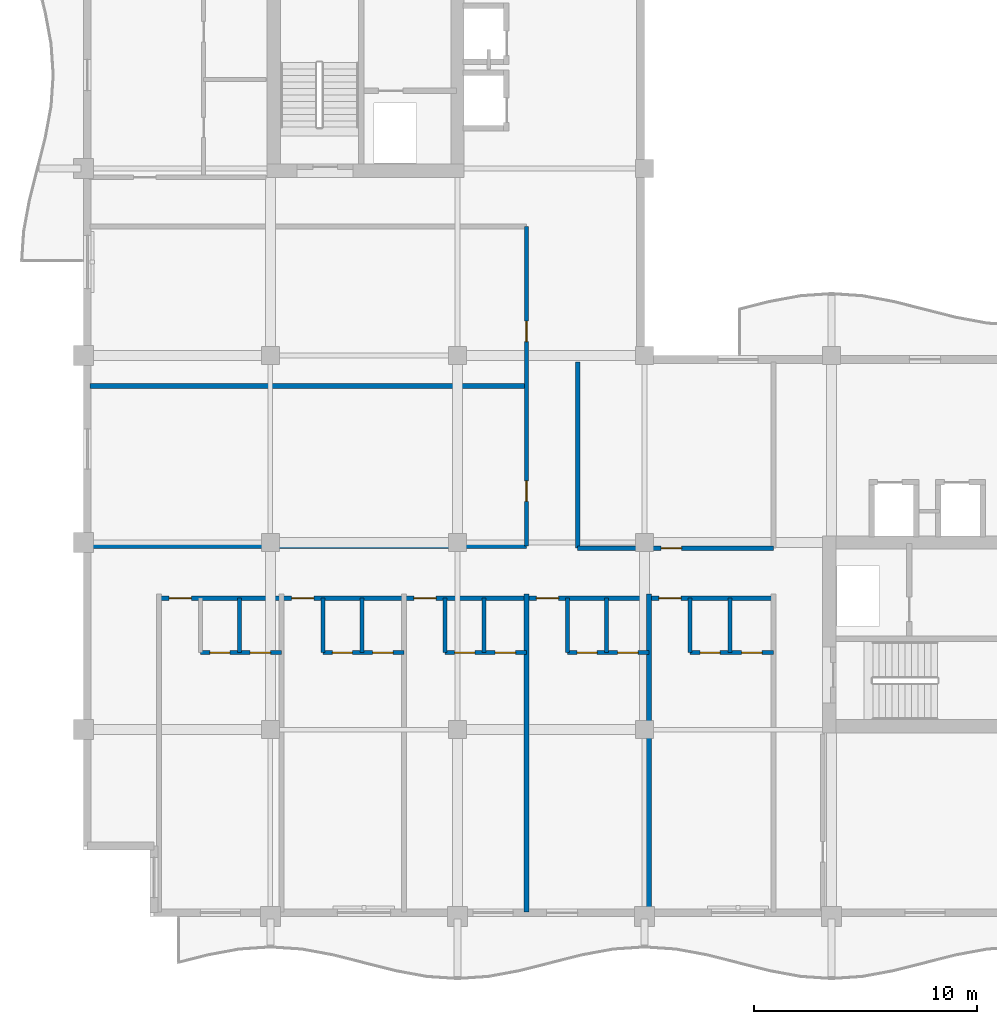
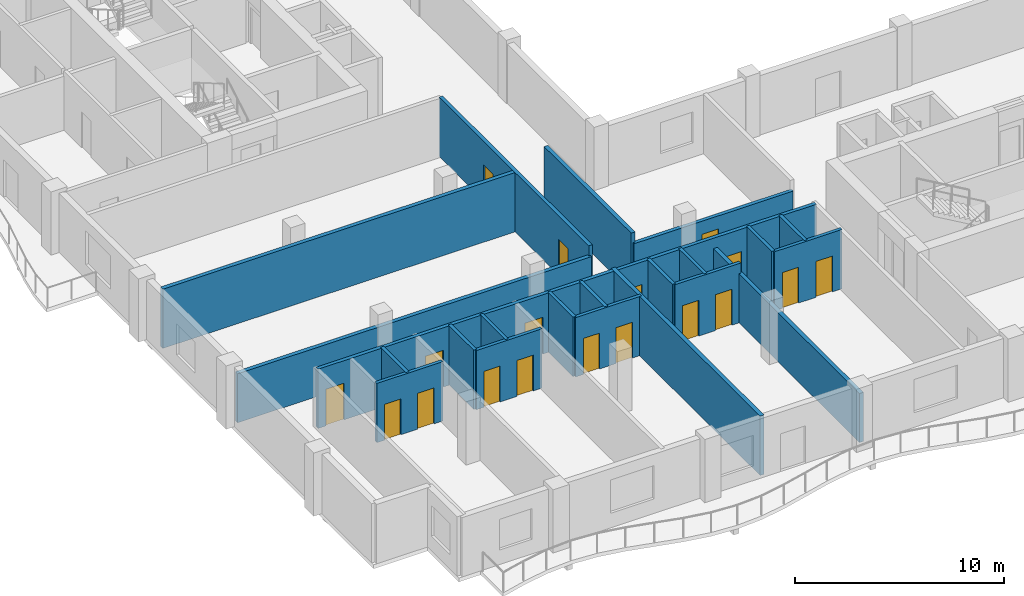
# One storey, part 6 of 15: 22 walls, 18 doors, 18 openings.
"""IFC4 building model written with IfcOpenShell, lengths in metres."""

from ifc_helpers import new_model, si_unit, direction, frame, frame_2d, origin, place, context, subcontext, project, spatial, rectangle, extrude, material, layer, layer_set, type_object, element, fill, save


model = new_model("IFC4")

# Units and contexts
model_context = context("Model", 3, precision=1e-05, world=origin(), true_north=direction((0.0, 1.0)))
body_context = subcontext(model_context, "Body", "Model", "MODEL_VIEW")
ifc_project = project(units=[si_unit("LENGTHUNIT", "METRE"), si_unit("AREAUNIT", "SQUARE_METRE"), si_unit("VOLUMEUNIT", "CUBIC_METRE"), si_unit("PLANEANGLEUNIT", "RADIAN"), si_unit("MASSUNIT", "GRAM", prefix="KILO")], contexts=[model_context])

# Site, building, storey
site_placement = place(None, origin())
site = spatial("IfcSite", under=ifc_project, at=site_placement, CompositionType="ELEMENT")
building_placement = place(site_placement, origin())
building = spatial("IfcBuilding", under=site, at=building_placement, Name="Koriwani Terraces Tower", CompositionType="ELEMENT")
storey_placement = place(building_placement, frame((0.0, 0.0, 282.300048828125)))
storey = spatial("IfcBuildingStorey", under=building, at=storey_placement, Name="L70", CompositionType="ELEMENT", Elevation=282.300048828125)

# Wall, opening, door
ifc_material_1 = material(Name="Autoclaved Cellular Concrete Blockwork", Category="masonry")
ifc_layer_1 = layer(ifc_material_1, 0.199951171875, Name="Autoclaved Cellular Concrete Blockwork")
ifc_layer_set_1 = layer_set([ifc_layer_1], Name="Autoclaved Cellular Concrete Blockwork")
wall_type_1 = type_object("IfcWallType", Name="WALL_CORRIDOR_200", PredefinedType="PARTITIONING", material=ifc_layer_set_1)
wall_1_placement = place(storey_placement, frame((30.60009765625, 24.949951171875, 0.0), z_axis=(0.0, 0.0, 1.0), x_axis=(1.0, 0.0, 0.0)))
wall_1 = element("IfcWall", 1, at=wall_1_placement, inside=storey, type_object=wall_type_1, Name="L70 Interior Wall WIC4S-L70", PredefinedType="PARTITIONING", context=body_context, shape_type="SweptSolid", body=[
    extrude(rectangle(XDim=8.7998046875, YDim=0.199951171875, at=frame_2d((4.39990234375, 0.0))), origin(), (0.0, 0.0, 1.0), 2.869873046875),
])
opening_1_placement = place(wall_1_placement, frame((3.75, 0.0, 0.0)))
opening_1 = element("IfcOpeningElement", 2, at=opening_1_placement, cuts=wall_1, Name="Opening D-06", PredefinedType="OPENING", context=body_context, shape_type="SweptSolid", body=[
    extrude(rectangle(XDim=0.919921875, YDim=2.10009765625, at=frame_2d((0.4599609375, 1.050048828125))), frame((0.0, 0.10986328125, 0.0), z_axis=(0.0, -1.0, 0.0), x_axis=(1.0, 0.0, 0.0)), (0.0, 0.0, 1.0), 0.219970703125),
])
ifc_material_2 = material(Name="Architectural Oak Fire Door", Category="wood")
door_type_1 = type_object("IfcDoorType", Name="DOOR_ROOM_INT_920X2100", OperationType="NOTDEFINED", PredefinedType="DOOR", material=ifc_material_2)
door_1_placement = place(opening_1_placement, origin())
door_1 = element("IfcDoor", 3, at=door_1_placement, inside=storey, type_object=door_type_1, Name="L70 High-Rise Court Lounge Door", OperationType="SINGLE_SWING_RIGHT", OverallHeight=2.10009765625, OverallWidth=0.919921875, PredefinedType="DOOR", context=body_context, shape_type="SweptSolid", body=[
    extrude(rectangle(XDim=0.919921875, YDim=2.10009765625, at=frame_2d((0.4599609375, 1.050048828125))), frame((0.0, 0.02490234375, 0.0), z_axis=(0.0, -1.0, 0.0), x_axis=(1.0, 0.0, 0.0)), (0.0, 0.0, 1.0), 0.050048828125),
])
fill(opening_1, door_1)

# Wall, openings, doors
wall_2_placement = place(storey_placement, frame((11.800048828125, 22.699951171875, 0.0), z_axis=(0.0, 0.0, 1.0), x_axis=(1.0, 0.0, 0.0)))
wall_2 = element("IfcWall", 4, at=wall_2_placement, inside=storey, type_object=wall_type_1, Name="L70 Interior Wall WRCOR-L70-SW-0", PredefinedType="PARTITIONING", context=body_context, shape_type="SweptSolid", body=[
    extrude(rectangle(XDim=27.599853515625, YDim=0.199951171875, at=frame_2d((13.7998046875, 0.0))), origin(), (0.0, 0.0, 1.0), 3.469970703125),
])
opening_2_placement = place(wall_2_placement, frame((0.445068359375, 0.0, 0.0)))
opening_2 = element("IfcOpeningElement", 5, at=opening_2_placement, cuts=wall_2, Name="Opening D-05", PredefinedType="OPENING", context=body_context, shape_type="SweptSolid", body=[
    extrude(rectangle(XDim=1.0, YDim=2.14990234375, at=frame_2d((0.5, 1.074951171875))), frame((0.0, 0.10986328125, 0.0), z_axis=(0.0, -1.0, 0.0), x_axis=(1.0, 0.0, 0.0)), (0.0, 0.0, 1.0), 0.219970703125),
])
opening_3_placement = place(wall_2_placement, frame((5.945068359375, 0.0, 0.0)))
opening_3 = element("IfcOpeningElement", 6, at=opening_3_placement, cuts=wall_2, Name="Opening D-05", PredefinedType="OPENING", context=body_context, shape_type="SweptSolid", body=[
    extrude(rectangle(XDim=1.0, YDim=2.14990234375, at=frame_2d((0.5, 1.074951171875))), frame((0.0, 0.10986328125, 0.0), z_axis=(0.0, -1.0, 0.0), x_axis=(1.0, 0.0, 0.0)), (0.0, 0.0, 1.0), 0.219970703125),
])
opening_4_placement = place(wall_2_placement, frame((11.445068359375, 0.0, 0.0)))
opening_4 = element("IfcOpeningElement", 7, at=opening_4_placement, cuts=wall_2, Name="Opening D-05", PredefinedType="OPENING", context=body_context, shape_type="SweptSolid", body=[
    extrude(rectangle(XDim=1.0, YDim=2.14990234375, at=frame_2d((0.5, 1.074951171875))), frame((0.0, 0.10986328125, 0.0), z_axis=(0.0, -1.0, 0.0), x_axis=(1.0, 0.0, 0.0)), (0.0, 0.0, 1.0), 0.219970703125),
])
opening_5_placement = place(wall_2_placement, frame((16.945068359375, 0.0, 0.0)))
opening_5 = element("IfcOpeningElement", 8, at=opening_5_placement, cuts=wall_2, Name="Opening D-05", PredefinedType="OPENING", context=body_context, shape_type="SweptSolid", body=[
    extrude(rectangle(XDim=1.0, YDim=2.14990234375, at=frame_2d((0.5, 1.074951171875))), frame((0.0, 0.10986328125, 0.0), z_axis=(0.0, -1.0, 0.0), x_axis=(1.0, 0.0, 0.0)), (0.0, 0.0, 1.0), 0.219970703125),
])
opening_6_placement = place(wall_2_placement, frame((22.445068359375, 0.0, 0.0)))
opening_6 = element("IfcOpeningElement", 9, at=opening_6_placement, cuts=wall_2, Name="Opening D-05", PredefinedType="OPENING", context=body_context, shape_type="SweptSolid", body=[
    extrude(rectangle(XDim=1.0, YDim=2.14990234375, at=frame_2d((0.5, 1.074951171875))), frame((0.0, 0.10986328125, 0.0), z_axis=(0.0, -1.0, 0.0), x_axis=(1.0, 0.0, 0.0)), (0.0, 0.0, 1.0), 0.219970703125),
])
door_type_2 = type_object("IfcDoorType", Name="DOOR_SUITE_ENTRY_1000X2150", OperationType="NOTDEFINED", PredefinedType="DOOR", material=ifc_material_2)
door_2_placement = place(opening_2_placement, origin())
door_2 = element("IfcDoor", 10, at=door_2_placement, inside=storey, type_object=door_type_2, Name="Apartment 70SW1 Entrance Door", OperationType="SINGLE_SWING_LEFT", OverallHeight=2.14990234375, OverallWidth=1.0, PredefinedType="DOOR", context=body_context, shape_type="SweptSolid", body=[
    extrude(rectangle(XDim=1.0, YDim=2.14990234375, at=frame_2d((0.5, 1.074951171875))), frame((0.0, 0.02490234375, 0.0), z_axis=(0.0, -1.0, 0.0), x_axis=(1.0, 0.0, 0.0)), (0.0, 0.0, 1.0), 0.050048828125),
])
fill(opening_2, door_2)
door_3_placement = place(opening_3_placement, origin())
door_3 = element("IfcDoor", 11, at=door_3_placement, inside=storey, type_object=door_type_2, Name="Apartment 70SW2 Entrance Door", OperationType="SINGLE_SWING_RIGHT", OverallHeight=2.14990234375, OverallWidth=1.0, PredefinedType="DOOR", context=body_context, shape_type="SweptSolid", body=[
    extrude(rectangle(XDim=1.0, YDim=2.14990234375, at=frame_2d((0.5, 1.074951171875))), frame((0.0, 0.02490234375, 0.0), z_axis=(0.0, -1.0, 0.0), x_axis=(1.0, 0.0, 0.0)), (0.0, 0.0, 1.0), 0.050048828125),
])
fill(opening_3, door_3)
door_4_placement = place(opening_4_placement, origin())
door_4 = element("IfcDoor", 12, at=door_4_placement, inside=storey, type_object=door_type_2, Name="Apartment 70SW3 Entrance Door", OperationType="SINGLE_SWING_LEFT", OverallHeight=2.14990234375, OverallWidth=1.0, PredefinedType="DOOR", context=body_context, shape_type="SweptSolid", body=[
    extrude(rectangle(XDim=1.0, YDim=2.14990234375, at=frame_2d((0.5, 1.074951171875))), frame((0.0, 0.02490234375, 0.0), z_axis=(0.0, -1.0, 0.0), x_axis=(1.0, 0.0, 0.0)), (0.0, 0.0, 1.0), 0.050048828125),
])
fill(opening_4, door_4)
door_5_placement = place(opening_5_placement, origin())
door_5 = element("IfcDoor", 13, at=door_5_placement, inside=storey, type_object=door_type_2, Name="Apartment 70SW4 Entrance Door", OperationType="SINGLE_SWING_RIGHT", OverallHeight=2.14990234375, OverallWidth=1.0, PredefinedType="DOOR", context=body_context, shape_type="SweptSolid", body=[
    extrude(rectangle(XDim=1.0, YDim=2.14990234375, at=frame_2d((0.5, 1.074951171875))), frame((0.0, 0.02490234375, 0.0), z_axis=(0.0, -1.0, 0.0), x_axis=(1.0, 0.0, 0.0)), (0.0, 0.0, 1.0), 0.050048828125),
])
fill(opening_5, door_5)
door_6_placement = place(opening_6_placement, origin())
door_6 = element("IfcDoor", 14, at=door_6_placement, inside=storey, type_object=door_type_2, Name="Apartment 70SW5 Entrance Door", OperationType="SINGLE_SWING_LEFT", OverallHeight=2.14990234375, OverallWidth=1.0, PredefinedType="DOOR", context=body_context, shape_type="SweptSolid", body=[
    extrude(rectangle(XDim=1.0, YDim=2.14990234375, at=frame_2d((0.5, 1.074951171875))), frame((0.0, 0.02490234375, 0.0), z_axis=(0.0, -1.0, 0.0), x_axis=(1.0, 0.0, 0.0)), (0.0, 0.0, 1.0), 0.050048828125),
])
fill(opening_6, door_6)

wall_3_placement = place(storey_placement, frame((28.300048828125, 25.050048828125, 0.0), z_axis=(0.0, 0.0, 1.0), x_axis=(0.0, 1.0, 0.0)))
wall_3 = element("IfcWall", 15, at=wall_3_placement, inside=storey, type_object=wall_type_1, Name="L70 Interior Wall WZ4NECL-L70", PredefinedType="PARTITIONING", context=body_context, shape_type="SweptSolid", body=[
    extrude(rectangle(XDim=14.349853515625, YDim=0.199951171875, at=frame_2d((7.1748046875, 0.0))), origin(), (0.0, 0.0, 1.0), 3.469970703125),
])
opening_7_placement = place(wall_3_placement, frame((2.0, 0.0, 0.0)))
opening_7 = element("IfcOpeningElement", 16, at=opening_7_placement, cuts=wall_3, Name="Opening D-06", PredefinedType="OPENING", context=body_context, shape_type="SweptSolid", body=[
    extrude(rectangle(XDim=0.919921875, YDim=2.10009765625, at=frame_2d((0.4599609375, 1.050048828125))), frame((0.0, 0.10986328125, 0.0), z_axis=(0.0, -1.0, 0.0), x_axis=(1.0, 0.0, 0.0)), (0.0, 0.0, 1.0), 0.219970703125),
])
opening_8_placement = place(wall_3_placement, frame((9.175048828125, 0.0, 0.0)))
opening_8 = element("IfcOpeningElement", 17, at=opening_8_placement, cuts=wall_3, Name="Opening D-06", PredefinedType="OPENING", context=body_context, shape_type="SweptSolid", body=[
    extrude(rectangle(XDim=0.919921875, YDim=2.10009765625, at=frame_2d((0.4599609375, 1.050048828125))), frame((0.0, 0.10986328125, 0.0), z_axis=(0.0, -1.0, 0.0), x_axis=(1.0, 0.0, 0.0)), (0.0, 0.0, 1.0), 0.219970703125),
])
door_7_placement = place(opening_7_placement, origin())
door_7 = element("IfcDoor", 18, at=door_7_placement, inside=storey, type_object=door_type_1, Name="L70 Observatory Library Door", OperationType="SINGLE_SWING_RIGHT", OverallHeight=2.10009765625, OverallWidth=0.919921875, PredefinedType="DOOR", context=body_context, shape_type="SweptSolid", body=[
    extrude(rectangle(XDim=0.919921875, YDim=2.10009765625, at=frame_2d((0.4599609375, 1.050048828125))), frame((0.0, 0.02490234375, 0.0), z_axis=(0.0, -1.0, 0.0), x_axis=(1.0, 0.0, 0.0)), (0.0, 0.0, 1.0), 0.050048828125),
])
fill(opening_7, door_7)
door_8_placement = place(opening_8_placement, origin())
door_8 = element("IfcDoor", 19, at=door_8_placement, inside=storey, type_object=door_type_1, Name="L70 Altitude Tea Salon Door", OperationType="SINGLE_SWING_LEFT", OverallHeight=2.10009765625, OverallWidth=0.919921875, PredefinedType="DOOR", context=body_context, shape_type="SweptSolid", body=[
    extrude(rectangle(XDim=0.919921875, YDim=2.10009765625, at=frame_2d((0.4599609375, 1.050048828125))), frame((0.0, 0.02490234375, 0.0), z_axis=(0.0, -1.0, 0.0), x_axis=(1.0, 0.0, 0.0)), (0.0, 0.0, 1.0), 0.050048828125),
])
fill(opening_8, door_8)

# Walls
ifc_layer_2 = layer(ifc_material_1, 0.219970703125, Name="Autoclaved Cellular Concrete Blockwork")
ifc_layer_set_2 = layer_set([ifc_layer_2], Name="Autoclaved Cellular Concrete Blockwork")
wall_type_2 = type_object("IfcWallType", Name="WALL_DEMISING_220", PredefinedType="PARTITIONING", material=ifc_layer_set_2)
wall_4_placement = place(storey_placement, frame((30.60009765625, 24.949951171875, 0.0), z_axis=(0.0, 0.0, 1.0), x_axis=(0.0, 1.0, 0.0)))
element("IfcWall", 20, at=wall_4_placement, inside=storey, type_object=wall_type_2, Name="L70 Interior Wall WIC4SW-L70", PredefinedType="PARTITIONING", context=body_context, shape_type="SweptSolid", body=[
    extrude(rectangle(XDim=8.35009765625, YDim=0.219970703125, at=frame_2d((4.175048828125, 0.0))), origin(), (0.0, 0.0, 1.0), 3.469970703125),
])
wall_5_placement = place(storey_placement, frame((28.300048828125, 8.60009765625, 0.0), z_axis=(0.0, 0.0, 1.0), x_axis=(0.0, 1.0, 0.0)))
element("IfcWall", 21, at=wall_5_placement, inside=storey, type_object=wall_type_2, Name="L70 Interior Wall WRDEM-L70-SW-3", PredefinedType="PARTITIONING", context=body_context, shape_type="SweptSolid", body=[
    extrude(rectangle(XDim=14.27978515625, YDim=0.219970703125, at=frame_2d((7.139892578125, 0.0))), origin(), (0.0, 0.0, 1.0), 3.469970703125),
])
wall_6_placement = place(storey_placement, frame((33.800048828125, 8.60009765625, 0.0), z_axis=(0.0, 0.0, 1.0), x_axis=(0.0, 1.0, 0.0)))
element("IfcWall", 22, at=wall_6_placement, inside=storey, type_object=wall_type_2, Name="L70 Interior Wall WRDEM-L70-SW-4", PredefinedType="PARTITIONING", context=body_context, shape_type="SweptSolid", body=[
    extrude(rectangle(XDim=14.27978515625, YDim=0.219970703125, at=frame_2d((7.139892578125, 0.0))), origin(), (0.0, 0.0, 1.0), 2.869873046875),
])
wall_7_placement = place(storey_placement, frame((8.699951171875, 25.050048828125, 0.0), z_axis=(0.0, 0.0, 1.0), x_axis=(1.0, 0.0, 0.0)))
element("IfcWall", 23, at=wall_7_placement, inside=storey, type_object=wall_type_2, Name="L70 Interior Wall WZ4NES-L70", PredefinedType="PARTITIONING", context=body_context, shape_type="SweptSolid", body=[
    extrude(rectangle(XDim=19.60009765625, YDim=0.219970703125, at=frame_2d((9.800048828125, 0.0))), origin(), (0.0, 0.0, 1.0), 2.869873046875),
])
wall_8_placement = place(storey_placement, frame((8.699951171875, 32.22509765625, 0.0), z_axis=(0.0, 0.0, 1.0), x_axis=(1.0, 0.0, 0.0)))
element("IfcWall", 24, at=wall_8_placement, inside=storey, type_object=wall_type_2, Name="L70 Interior Wall WZ4NEM-L70", PredefinedType="PARTITIONING", context=body_context, shape_type="SweptSolid", body=[
    extrude(rectangle(XDim=19.60009765625, YDim=0.219970703125, at=frame_2d((9.800048828125, 0.0))), origin(), (0.0, 0.0, 1.0), 3.469970703125),
])

# Wall, openings, doors
ifc_material_3 = material(Name="Fire-Rated Acoustic Gypsum Partition", Category="masonry")
ifc_layer_3 = layer(ifc_material_3, 0.179931640625, Name="Fire-Rated Acoustic Gypsum Partition")
ifc_layer_set_3 = layer_set([ifc_layer_3], Name="Fire-Rated Acoustic Gypsum Partition")
wall_type_3 = type_object("IfcWallType", Name="WALL_PLUMBING_180", PredefinedType="PLUMBINGWALL", material=ifc_layer_set_3)
wall_9_placement = place(storey_placement, frame((13.64990234375, 20.25, 0.0), z_axis=(0.0, 0.0, 1.0), x_axis=(1.0, 0.0, 0.0)))
wall_9 = element("IfcWall", 25, at=wall_9_placement, inside=storey, type_object=wall_type_3, Name="L70 Interior Wall WRSVC-L70-SW-0", PredefinedType="PLUMBINGWALL", context=body_context, shape_type="SweptSolid", body=[
    extrude(rectangle(XDim=3.650146484375, YDim=0.179931640625, at=frame_2d((1.8251953125, 0.0))), origin(), (0.0, 0.0, 1.0), 3.469970703125),
])
opening_9_placement = place(wall_9_placement, frame((0.426025390625, 0.0, 0.0)))
opening_9 = element("IfcOpeningElement", 26, at=opening_9_placement, cuts=wall_9, Name="Opening D-07", PredefinedType="OPENING", context=body_context, shape_type="SweptSolid", body=[
    extrude(rectangle(XDim=0.89990234375, YDim=2.10009765625, at=frame_2d((0.449951171875, 1.050048828125))), frame((0.0, 0.10009765625, 0.0), z_axis=(0.0, -1.0, 0.0), x_axis=(1.0, 0.0, 0.0)), (0.0, 0.0, 1.0), 0.199951171875),
])
opening_10_placement = place(wall_9_placement, frame((2.240966796875, 0.0, 0.0)))
opening_10 = element("IfcOpeningElement", 27, at=opening_10_placement, cuts=wall_9, Name="Opening D-06", PredefinedType="OPENING", context=body_context, shape_type="SweptSolid", body=[
    extrude(rectangle(XDim=0.919921875, YDim=2.10009765625, at=frame_2d((0.4599609375, 1.050048828125))), frame((0.0, 0.10009765625, 0.0), z_axis=(0.0, -1.0, 0.0), x_axis=(1.0, 0.0, 0.0)), (0.0, 0.0, 1.0), 0.199951171875),
])
door_type_3 = type_object("IfcDoorType", Name="DOOR_BATH_INT_900X2100", OperationType="NOTDEFINED", PredefinedType="DOOR", material=ifc_material_2)
door_9_placement = place(opening_9_placement, origin())
door_9 = element("IfcDoor", 28, at=door_9_placement, inside=storey, type_object=door_type_3, Name="Apartment 70SW1 Bathroom Door", OperationType="SINGLE_SWING_RIGHT", OverallHeight=2.10009765625, OverallWidth=0.89990234375, PredefinedType="DOOR", context=body_context, shape_type="SweptSolid", body=[
    extrude(rectangle(XDim=0.89990234375, YDim=2.10009765625, at=frame_2d((0.449951171875, 1.050048828125))), frame((0.0, 0.02490234375, 0.0), z_axis=(0.0, -1.0, 0.0), x_axis=(1.0, 0.0, 0.0)), (0.0, 0.0, 1.0), 0.050048828125),
])
fill(opening_9, door_9)
door_10_placement = place(opening_10_placement, origin())
door_10 = element("IfcDoor", 29, at=door_10_placement, inside=storey, type_object=door_type_1, Name="Apartment 70SW1 Kitchen Door", OperationType="SINGLE_SWING_LEFT", OverallHeight=2.10009765625, OverallWidth=0.919921875, PredefinedType="DOOR", context=body_context, shape_type="SweptSolid", body=[
    extrude(rectangle(XDim=0.919921875, YDim=2.10009765625, at=frame_2d((0.4599609375, 1.050048828125))), frame((0.0, 0.02490234375, 0.0), z_axis=(0.0, -1.0, 0.0), x_axis=(1.0, 0.0, 0.0)), (0.0, 0.0, 1.0), 0.050048828125),
])
fill(opening_10, door_10)

# Wall
wall_10_placement = place(storey_placement, frame((15.402099609375, 20.25, 0.0), z_axis=(0.0, 0.0, 1.0), x_axis=(0.0, 1.0, 0.0)))
element("IfcWall", 30, at=wall_10_placement, inside=storey, type_object=wall_type_3, Name="L70 Interior Wall WRSVCM-L70-SW-0", PredefinedType="PLUMBINGWALL", context=body_context, shape_type="SweptSolid", body=[
    extrude(rectangle(XDim=2.449951171875, YDim=0.179931640625, at=frame_2d((1.22509765625, 0.0))), origin(), (0.0, 0.0, 1.0), 3.469970703125),
])

# Wall, openings, doors
wall_11_placement = place(storey_placement, frame((19.14990234375, 20.25, 0.0), z_axis=(0.0, 0.0, 1.0), x_axis=(1.0, 0.0, 0.0)))
wall_11 = element("IfcWall", 31, at=wall_11_placement, inside=storey, type_object=wall_type_3, Name="L70 Interior Wall WRSVC-L70-SW-1", PredefinedType="PLUMBINGWALL", context=body_context, shape_type="SweptSolid", body=[
    extrude(rectangle(XDim=3.650146484375, YDim=0.179931640625, at=frame_2d((1.8251953125, 0.0))), origin(), (0.0, 0.0, 1.0), 3.469970703125),
])
opening_11_placement = place(wall_11_placement, frame((0.426025390625, 0.0, 0.0)))
opening_11 = element("IfcOpeningElement", 32, at=opening_11_placement, cuts=wall_11, Name="Opening D-07", PredefinedType="OPENING", context=body_context, shape_type="SweptSolid", body=[
    extrude(rectangle(XDim=0.89990234375, YDim=2.10009765625, at=frame_2d((0.449951171875, 1.050048828125))), frame((0.0, 0.10009765625, 0.0), z_axis=(0.0, -1.0, 0.0), x_axis=(1.0, 0.0, 0.0)), (0.0, 0.0, 1.0), 0.199951171875),
])
opening_12_placement = place(wall_11_placement, frame((2.240966796875, 0.0, 0.0)))
opening_12 = element("IfcOpeningElement", 33, at=opening_12_placement, cuts=wall_11, Name="Opening D-06", PredefinedType="OPENING", context=body_context, shape_type="SweptSolid", body=[
    extrude(rectangle(XDim=0.919921875, YDim=2.10009765625, at=frame_2d((0.4599609375, 1.050048828125))), frame((0.0, 0.10009765625, 0.0), z_axis=(0.0, -1.0, 0.0), x_axis=(1.0, 0.0, 0.0)), (0.0, 0.0, 1.0), 0.199951171875),
])
door_11_placement = place(opening_11_placement, origin())
door_11 = element("IfcDoor", 34, at=door_11_placement, inside=storey, type_object=door_type_3, Name="Apartment 70SW2 Bathroom Door", OperationType="SINGLE_SWING_LEFT", OverallHeight=2.10009765625, OverallWidth=0.89990234375, PredefinedType="DOOR", context=body_context, shape_type="SweptSolid", body=[
    extrude(rectangle(XDim=0.89990234375, YDim=2.10009765625, at=frame_2d((0.449951171875, 1.050048828125))), frame((0.0, 0.02490234375, 0.0), z_axis=(0.0, -1.0, 0.0), x_axis=(1.0, 0.0, 0.0)), (0.0, 0.0, 1.0), 0.050048828125),
])
fill(opening_11, door_11)
door_12_placement = place(opening_12_placement, origin())
door_12 = element("IfcDoor", 35, at=door_12_placement, inside=storey, type_object=door_type_1, Name="Apartment 70SW2 Kitchen Door", OperationType="SINGLE_SWING_RIGHT", OverallHeight=2.10009765625, OverallWidth=0.919921875, PredefinedType="DOOR", context=body_context, shape_type="SweptSolid", body=[
    extrude(rectangle(XDim=0.919921875, YDim=2.10009765625, at=frame_2d((0.4599609375, 1.050048828125))), frame((0.0, 0.02490234375, 0.0), z_axis=(0.0, -1.0, 0.0), x_axis=(1.0, 0.0, 0.0)), (0.0, 0.0, 1.0), 0.050048828125),
])
fill(opening_12, door_12)

# Walls
for number, where, z_axis, x_axis, name in (
    (36, (19.14990234375, 20.25, 0.0), (0.0, 0.0, 1.0), (0.0, 1.0, 0.0), "L70 Interior Wall WRSVCS-L70-SW-1"),
    (37, (20.902099609375, 20.25, 0.0), (0.0, 0.0, 1.0), (0.0, 1.0, 0.0), "L70 Interior Wall WRSVCM-L70-SW-1"),
):
    element("IfcWall", number, at=place(storey_placement, frame(where, z_axis=z_axis, x_axis=x_axis)), inside=storey, type_object=wall_type_3, Name=name, PredefinedType="PLUMBINGWALL", context=body_context, shape_type="SweptSolid", body=[
        extrude(rectangle(XDim=2.449951171875, YDim=0.179931640625, at=frame_2d((1.22509765625, 0.0))), origin(), (0.0, 0.0, 1.0), 3.469970703125),
    ])

# Wall, openings, doors
wall_12_placement = place(storey_placement, frame((24.64990234375, 20.25, 0.0), z_axis=(0.0, 0.0, 1.0), x_axis=(1.0, 0.0, 0.0)))
wall_12 = element("IfcWall", 38, at=wall_12_placement, inside=storey, type_object=wall_type_3, Name="L70 Interior Wall WRSVC-L70-SW-2", PredefinedType="PLUMBINGWALL", context=body_context, shape_type="SweptSolid", body=[
    extrude(rectangle(XDim=3.650146484375, YDim=0.179931640625, at=frame_2d((1.8251953125, 0.0))), origin(), (0.0, 0.0, 1.0), 3.469970703125),
])
opening_13_placement = place(wall_12_placement, frame((0.426025390625, 0.0, 0.0)))
opening_13 = element("IfcOpeningElement", 39, at=opening_13_placement, cuts=wall_12, Name="Opening D-07", PredefinedType="OPENING", context=body_context, shape_type="SweptSolid", body=[
    extrude(rectangle(XDim=0.89990234375, YDim=2.10009765625, at=frame_2d((0.449951171875, 1.050048828125))), frame((0.0, 0.10009765625, 0.0), z_axis=(0.0, -1.0, 0.0), x_axis=(1.0, 0.0, 0.0)), (0.0, 0.0, 1.0), 0.199951171875),
])
opening_14_placement = place(wall_12_placement, frame((2.240966796875, 0.0, 0.0)))
opening_14 = element("IfcOpeningElement", 40, at=opening_14_placement, cuts=wall_12, Name="Opening D-06", PredefinedType="OPENING", context=body_context, shape_type="SweptSolid", body=[
    extrude(rectangle(XDim=0.919921875, YDim=2.10009765625, at=frame_2d((0.4599609375, 1.050048828125))), frame((0.0, 0.10009765625, 0.0), z_axis=(0.0, -1.0, 0.0), x_axis=(1.0, 0.0, 0.0)), (0.0, 0.0, 1.0), 0.199951171875),
])
door_13_placement = place(opening_13_placement, origin())
door_13 = element("IfcDoor", 41, at=door_13_placement, inside=storey, type_object=door_type_3, Name="Apartment 70SW3 Bathroom Door", OperationType="SINGLE_SWING_RIGHT", OverallHeight=2.10009765625, OverallWidth=0.89990234375, PredefinedType="DOOR", context=body_context, shape_type="SweptSolid", body=[
    extrude(rectangle(XDim=0.89990234375, YDim=2.10009765625, at=frame_2d((0.449951171875, 1.050048828125))), frame((0.0, 0.02490234375, 0.0), z_axis=(0.0, -1.0, 0.0), x_axis=(1.0, 0.0, 0.0)), (0.0, 0.0, 1.0), 0.050048828125),
])
fill(opening_13, door_13)
door_14_placement = place(opening_14_placement, origin())
door_14 = element("IfcDoor", 42, at=door_14_placement, inside=storey, type_object=door_type_1, Name="Apartment 70SW3 Kitchen Door", OperationType="SINGLE_SWING_LEFT", OverallHeight=2.10009765625, OverallWidth=0.919921875, PredefinedType="DOOR", context=body_context, shape_type="SweptSolid", body=[
    extrude(rectangle(XDim=0.919921875, YDim=2.10009765625, at=frame_2d((0.4599609375, 1.050048828125))), frame((0.0, 0.02490234375, 0.0), z_axis=(0.0, -1.0, 0.0), x_axis=(1.0, 0.0, 0.0)), (0.0, 0.0, 1.0), 0.050048828125),
])
fill(opening_14, door_14)

# Walls
for number, where, z_axis, x_axis, name in (
    (43, (24.64990234375, 20.25, 0.0), (0.0, 0.0, 1.0), (0.0, 1.0, 0.0), "L70 Interior Wall WRSVCS-L70-SW-2"),
    (44, (26.402099609375, 20.25, 0.0), (0.0, 0.0, 1.0), (0.0, 1.0, 0.0), "L70 Interior Wall WRSVCM-L70-SW-2"),
):
    element("IfcWall", number, at=place(storey_placement, frame(where, z_axis=z_axis, x_axis=x_axis)), inside=storey, type_object=wall_type_3, Name=name, PredefinedType="PLUMBINGWALL", context=body_context, shape_type="SweptSolid", body=[
        extrude(rectangle(XDim=2.449951171875, YDim=0.179931640625, at=frame_2d((1.22509765625, 0.0))), origin(), (0.0, 0.0, 1.0), 3.469970703125),
    ])

# Wall, openings, doors
wall_13_placement = place(storey_placement, frame((30.14990234375, 20.25, 0.0), z_axis=(0.0, 0.0, 1.0), x_axis=(1.0, 0.0, 0.0)))
wall_13 = element("IfcWall", 45, at=wall_13_placement, inside=storey, type_object=wall_type_3, Name="L70 Interior Wall WRSVC-L70-SW-3", PredefinedType="PLUMBINGWALL", context=body_context, shape_type="SweptSolid", body=[
    extrude(rectangle(XDim=3.650146484375, YDim=0.179931640625, at=frame_2d((1.8251953125, 0.0))), origin(), (0.0, 0.0, 1.0), 3.469970703125),
])
opening_15_placement = place(wall_13_placement, frame((0.426025390625, 0.0, 0.0)))
opening_15 = element("IfcOpeningElement", 46, at=opening_15_placement, cuts=wall_13, Name="Opening D-07", PredefinedType="OPENING", context=body_context, shape_type="SweptSolid", body=[
    extrude(rectangle(XDim=0.89990234375, YDim=2.10009765625, at=frame_2d((0.449951171875, 1.050048828125))), frame((0.0, 0.10009765625, 0.0), z_axis=(0.0, -1.0, 0.0), x_axis=(1.0, 0.0, 0.0)), (0.0, 0.0, 1.0), 0.199951171875),
])
opening_16_placement = place(wall_13_placement, frame((2.240966796875, 0.0, 0.0)))
opening_16 = element("IfcOpeningElement", 47, at=opening_16_placement, cuts=wall_13, Name="Opening D-06", PredefinedType="OPENING", context=body_context, shape_type="SweptSolid", body=[
    extrude(rectangle(XDim=0.919921875, YDim=2.10009765625, at=frame_2d((0.4599609375, 1.050048828125))), frame((0.0, 0.10009765625, 0.0), z_axis=(0.0, -1.0, 0.0), x_axis=(1.0, 0.0, 0.0)), (0.0, 0.0, 1.0), 0.199951171875),
])
door_15_placement = place(opening_15_placement, origin())
door_15 = element("IfcDoor", 48, at=door_15_placement, inside=storey, type_object=door_type_3, Name="Apartment 70SW4 Bathroom Door", OperationType="SINGLE_SWING_LEFT", OverallHeight=2.10009765625, OverallWidth=0.89990234375, PredefinedType="DOOR", context=body_context, shape_type="SweptSolid", body=[
    extrude(rectangle(XDim=0.89990234375, YDim=2.10009765625, at=frame_2d((0.449951171875, 1.050048828125))), frame((0.0, 0.02490234375, 0.0), z_axis=(0.0, -1.0, 0.0), x_axis=(1.0, 0.0, 0.0)), (0.0, 0.0, 1.0), 0.050048828125),
])
fill(opening_15, door_15)
door_16_placement = place(opening_16_placement, origin())
door_16 = element("IfcDoor", 49, at=door_16_placement, inside=storey, type_object=door_type_1, Name="Apartment 70SW4 Kitchen Door", OperationType="SINGLE_SWING_RIGHT", OverallHeight=2.10009765625, OverallWidth=0.919921875, PredefinedType="DOOR", context=body_context, shape_type="SweptSolid", body=[
    extrude(rectangle(XDim=0.919921875, YDim=2.10009765625, at=frame_2d((0.4599609375, 1.050048828125))), frame((0.0, 0.02490234375, 0.0), z_axis=(0.0, -1.0, 0.0), x_axis=(1.0, 0.0, 0.0)), (0.0, 0.0, 1.0), 0.050048828125),
])
fill(opening_16, door_16)

# Walls
for number, where, z_axis, x_axis, name in (
    (50, (30.14990234375, 20.25, 0.0), (0.0, 0.0, 1.0), (0.0, 1.0, 0.0), "L70 Interior Wall WRSVCS-L70-SW-3"),
    (51, (31.902099609375, 20.25, 0.0), (0.0, 0.0, 1.0), (0.0, 1.0, 0.0), "L70 Interior Wall WRSVCM-L70-SW-3"),
):
    element("IfcWall", number, at=place(storey_placement, frame(where, z_axis=z_axis, x_axis=x_axis)), inside=storey, type_object=wall_type_3, Name=name, PredefinedType="PLUMBINGWALL", context=body_context, shape_type="SweptSolid", body=[
        extrude(rectangle(XDim=2.449951171875, YDim=0.179931640625, at=frame_2d((1.22509765625, 0.0))), origin(), (0.0, 0.0, 1.0), 3.469970703125),
    ])

# Wall, openings, doors
wall_14_placement = place(storey_placement, frame((35.64990234375, 20.25, 0.0), z_axis=(0.0, 0.0, 1.0), x_axis=(1.0, 0.0, 0.0)))
wall_14 = element("IfcWall", 52, at=wall_14_placement, inside=storey, type_object=wall_type_3, Name="L70 Interior Wall WRSVC-L70-SW-4", PredefinedType="PLUMBINGWALL", context=body_context, shape_type="SweptSolid", body=[
    extrude(rectangle(XDim=3.75, YDim=0.179931640625, at=frame_2d((1.875, 0.0))), origin(), (0.0, 0.0, 1.0), 3.469970703125),
])
opening_17_placement = place(wall_14_placement, frame((0.449951171875, 0.0, 0.0)))
opening_17 = element("IfcOpeningElement", 53, at=opening_17_placement, cuts=wall_14, Name="Opening D-07", PredefinedType="OPENING", context=body_context, shape_type="SweptSolid", body=[
    extrude(rectangle(XDim=0.89990234375, YDim=2.10009765625, at=frame_2d((0.449951171875, 1.050048828125))), frame((0.0, 0.10009765625, 0.0), z_axis=(0.0, -1.0, 0.0), x_axis=(1.0, 0.0, 0.0)), (0.0, 0.0, 1.0), 0.199951171875),
])
opening_18_placement = place(wall_14_placement, frame((2.31494140625, 0.0, 0.0)))
opening_18 = element("IfcOpeningElement", 54, at=opening_18_placement, cuts=wall_14, Name="Opening D-06", PredefinedType="OPENING", context=body_context, shape_type="SweptSolid", body=[
    extrude(rectangle(XDim=0.919921875, YDim=2.10009765625, at=frame_2d((0.4599609375, 1.050048828125))), frame((0.0, 0.10009765625, 0.0), z_axis=(0.0, -1.0, 0.0), x_axis=(1.0, 0.0, 0.0)), (0.0, 0.0, 1.0), 0.199951171875),
])
door_17_placement = place(opening_17_placement, origin())
door_17 = element("IfcDoor", 55, at=door_17_placement, inside=storey, type_object=door_type_3, Name="Apartment 70SW5 Bathroom Door", OperationType="SINGLE_SWING_RIGHT", OverallHeight=2.10009765625, OverallWidth=0.89990234375, PredefinedType="DOOR", context=body_context, shape_type="SweptSolid", body=[
    extrude(rectangle(XDim=0.89990234375, YDim=2.10009765625, at=frame_2d((0.449951171875, 1.050048828125))), frame((0.0, 0.02490234375, 0.0), z_axis=(0.0, -1.0, 0.0), x_axis=(1.0, 0.0, 0.0)), (0.0, 0.0, 1.0), 0.050048828125),
])
fill(opening_17, door_17)
door_18_placement = place(opening_18_placement, origin())
door_18 = element("IfcDoor", 56, at=door_18_placement, inside=storey, type_object=door_type_1, Name="Apartment 70SW5 Kitchen Door", OperationType="SINGLE_SWING_LEFT", OverallHeight=2.10009765625, OverallWidth=0.919921875, PredefinedType="DOOR", context=body_context, shape_type="SweptSolid", body=[
    extrude(rectangle(XDim=0.919921875, YDim=2.10009765625, at=frame_2d((0.4599609375, 1.050048828125))), frame((0.0, 0.02490234375, 0.0), z_axis=(0.0, -1.0, 0.0), x_axis=(1.0, 0.0, 0.0)), (0.0, 0.0, 1.0), 0.050048828125),
])
fill(opening_18, door_18)

# Walls
for number, where, z_axis, x_axis, name in (
    (57, (35.64990234375, 20.25, 0.0), (0.0, 0.0, 1.0), (0.0, 1.0, 0.0), "L70 Interior Wall WRSVCS-L70-SW-4"),
    (58, (37.449951171875, 20.25, 0.0), (0.0, 0.0, 1.0), (0.0, 1.0, 0.0), "L70 Interior Wall WRSVCM-L70-SW-4"),
):
    element("IfcWall", number, at=place(storey_placement, frame(where, z_axis=z_axis, x_axis=x_axis)), inside=storey, type_object=wall_type_3, Name=name, PredefinedType="PLUMBINGWALL", context=body_context, shape_type="SweptSolid", body=[
        extrude(rectangle(XDim=2.449951171875, YDim=0.179931640625, at=frame_2d((1.22509765625, 0.0))), origin(), (0.0, 0.0, 1.0), 3.469970703125),
    ])

save(model, "model.ifc")
